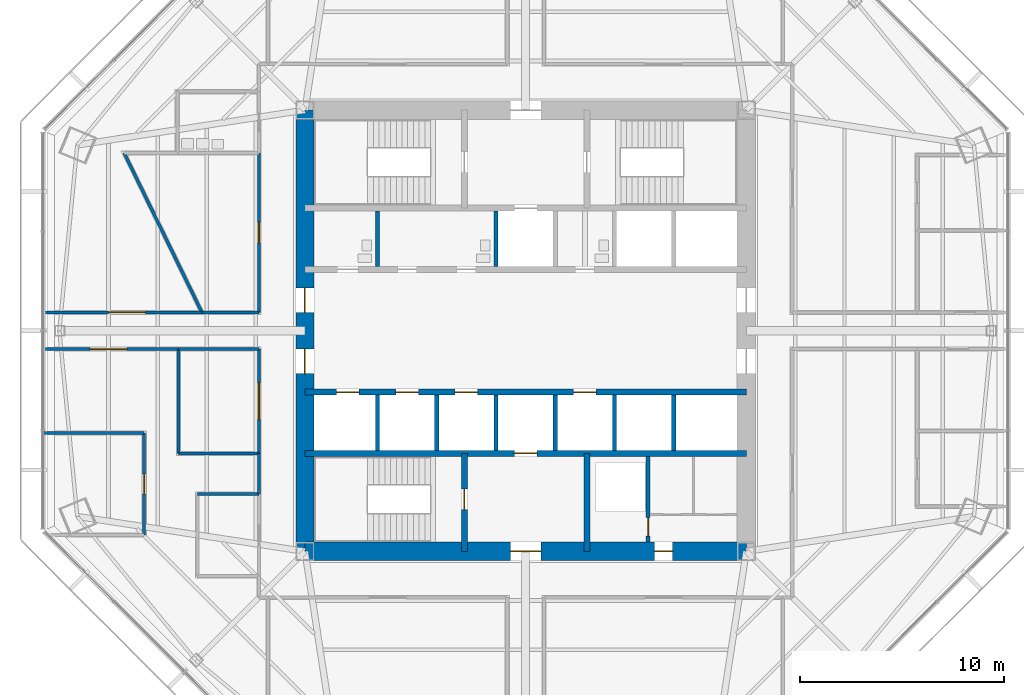
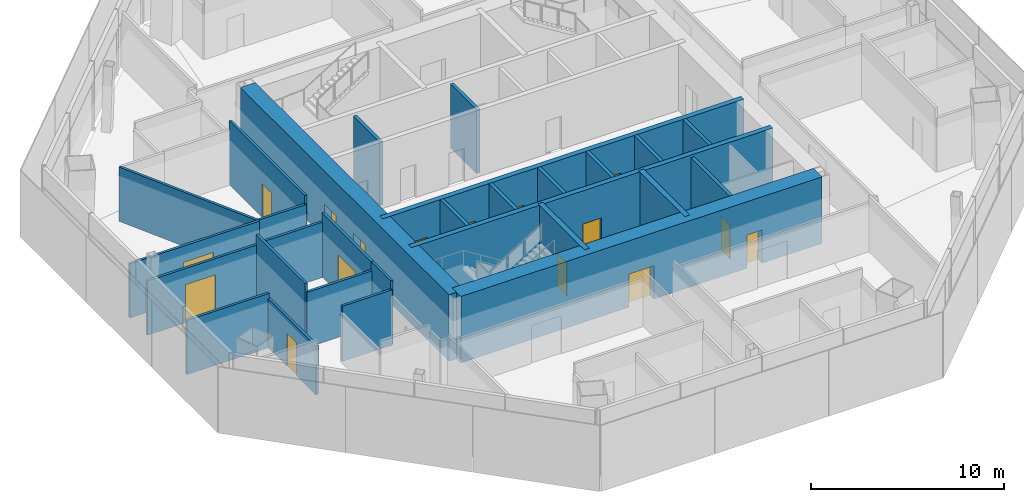
# One storey, part 9 of 15: 28 walls, 16 doors, 16 openings.
"""IFC4 building model written with IfcOpenShell, lengths in metres."""

from ifc_helpers import new_model, si_unit, direction, frame, frame_2d, origin, place, context, subcontext, project, spatial, rectangle, extrude, material, layer, layer_set, type_object, element, fill, save


model = new_model("IFC4")

# Units and contexts
model_context = context("Model", 3, precision=1e-05, world=origin(), true_north=direction((0.0, 1.0)))
body_context = subcontext(model_context, "Body", "Model", "MODEL_VIEW")
ifc_project = project(units=[si_unit("LENGTHUNIT", "METRE"), si_unit("AREAUNIT", "SQUARE_METRE"), si_unit("VOLUMEUNIT", "CUBIC_METRE"), si_unit("PLANEANGLEUNIT", "RADIAN"), si_unit("MASSUNIT", "GRAM", prefix="KILO")], contexts=[model_context])

# Site, building, storey
site_placement = place(None, origin())
site = spatial("IfcSite", under=ifc_project, at=site_placement, CompositionType="ELEMENT")
building_placement = place(site_placement, origin())
building = spatial("IfcBuilding", under=site, at=building_placement, Name="Mashrafa Tower", CompositionType="ELEMENT")
storey_placement = place(building_placement, frame((0.0, 0.0, 155.39990234375)))
storey = spatial("IfcBuildingStorey", under=building, at=storey_placement, Name="L35", CompositionType="ELEMENT", Elevation=155.39990234375)

# Wall, opening, door
ifc_material_1 = material(Name="Concrete masonry unit", Category="masonry")
ifc_layer_1 = layer(ifc_material_1, 0.199951171875)
ifc_layer_set_1 = layer_set([ifc_layer_1], Name="Blockwork wall 200 2 hr")
wall_type_1 = type_object("IfcWallType", Name="Blockwork wall 200 2 hr", PredefinedType="PARTITIONING", material=ifc_layer_set_1)
wall_1_placement = place(storey_placement, frame((6.0, -10.35009765625, 0.0), z_axis=(0.0, 0.0, 1.0), x_axis=(0.0, 1.0, 0.0)))
wall_1 = element("IfcWall", 1, at=wall_1_placement, inside=storey, type_object=wall_type_1, Name="Riser enclosure wall L35", PredefinedType="PARTITIONING", context=body_context, shape_type="SweptSolid", body=[
    extrude(rectangle(XDim=4.2001953125, YDim=0.199951171875, at=frame_2d((2.10009765625, 0.0))), origin(), (0.0, 0.0, 1.0), 4.03515625),
])
opening_1_placement = place(wall_1_placement, frame((0.300048828125, 0.0, 0.0)))
opening_1 = element("IfcOpeningElement", 2, at=opening_1_placement, cuts=wall_1, Name="Opening 35.036", PredefinedType="OPENING", context=body_context, shape_type="SweptSolid", body=[
    extrude(rectangle(XDim=0.89990234375, YDim=2.10009765625, at=frame_2d((0.449951171875, 1.050048828125))), frame((0.0, 0.10986328125, 0.0), z_axis=(0.0, -1.0, 0.0), x_axis=(1.0, 0.0, 0.0)), (0.0, 0.0, 1.0), 0.219970703125),
])
ifc_material_2 = material(Name="Steel door", Category="steel")
door_type_1 = type_object("IfcDoorType", Name="Service door 900 x 2100 90 min", OperationType="USERDEFINED", PredefinedType="DOOR", material=ifc_material_2)
door_1_placement = place(opening_1_placement, origin())
door_1 = element("IfcDoor", 3, at=door_1_placement, inside=storey, type_object=door_type_1, Name="Riser door L35", OperationType="SINGLE_SWING_LEFT", OverallHeight=2.10009765625, OverallWidth=0.89990234375, PredefinedType="DOOR", context=body_context, shape_type="SweptSolid", body=[
    extrude(rectangle(XDim=0.89990234375, YDim=2.10009765625, at=frame_2d((0.449951171875, 1.050048828125))), frame((0.0, 0.02490234375, 0.0), z_axis=(0.0, -1.0, 0.0), x_axis=(1.0, 0.0, 0.0)), (0.0, 0.0, 1.0), 0.050048828125),
])
fill(opening_1, door_1)

# Wall, openings, doors
ifc_material_3 = material(Name="Concrete C60/75", Category="concrete")
ifc_layer_2 = layer(ifc_material_3, 0.300048828125)
ifc_layer_set_2 = layer_set([ifc_layer_2], Name="Core wall 300 C60/75")
wall_type_2 = type_object("IfcWallType", Name="Core wall 300 C60/75", PredefinedType="SOLIDWALL", material=ifc_layer_set_2)
wall_2_placement = place(storey_placement, frame((-10.800048828125, -3.0, 0.0), z_axis=(0.0, 0.0, 1.0), x_axis=(1.0, 0.0, 0.0)))
wall_2 = element("IfcWall", 4, at=wall_2_placement, inside=storey, type_object=wall_type_2, Name="Core wall CH-S L35", PredefinedType="SOLIDWALL", context=body_context, shape_type="SweptSolid", body=[
    extrude(rectangle(XDim=21.60009765625, YDim=0.300048828125, at=frame_2d((10.800048828125, 0.0))), origin(), (0.0, 0.0, 1.0), 4.2001953125),
])
opening_2_placement = place(wall_2_placement, frame((1.550048828125, 0.0, 0.0)))
opening_2 = element("IfcOpeningElement", 5, at=opening_2_placement, cuts=wall_2, Name="Opening 35.B1", PredefinedType="OPENING", context=body_context, shape_type="SweptSolid", body=[
    extrude(rectangle(XDim=1.10009765625, YDim=2.10009765625, at=frame_2d((0.550048828125, 1.050048828125))), frame((0.0, 0.159912109375, 0.0), z_axis=(0.0, -1.0, 0.0), x_axis=(1.0, 0.0, 0.0)), (0.0, 0.0, 1.0), 0.320068359375),
])
opening_3_placement = place(wall_2_placement, frame((4.449951171875, 0.0, 0.0)))
opening_3 = element("IfcOpeningElement", 6, at=opening_3_placement, cuts=wall_2, Name="Opening 35.B2", PredefinedType="OPENING", context=body_context, shape_type="SweptSolid", body=[
    extrude(rectangle(XDim=1.10009765625, YDim=2.10009765625, at=frame_2d((0.550048828125, 1.050048828125))), frame((0.0, 0.159912109375, 0.0), z_axis=(0.0, -1.0, 0.0), x_axis=(1.0, 0.0, 0.0)), (0.0, 0.0, 1.0), 0.320068359375),
])
opening_4_placement = place(wall_2_placement, frame((7.35009765625, 0.0, 0.0)))
opening_4 = element("IfcOpeningElement", 7, at=opening_4_placement, cuts=wall_2, Name="Opening 35.B3", PredefinedType="OPENING", context=body_context, shape_type="SweptSolid", body=[
    extrude(rectangle(XDim=1.10009765625, YDim=2.10009765625, at=frame_2d((0.550048828125, 1.050048828125))), frame((0.0, 0.159912109375, 0.0), z_axis=(0.0, -1.0, 0.0), x_axis=(1.0, 0.0, 0.0)), (0.0, 0.0, 1.0), 0.320068359375),
])
opening_5_placement = place(wall_2_placement, frame((13.14990234375, 0.0, 0.0)))
opening_5 = element("IfcOpeningElement", 8, at=opening_5_placement, cuts=wall_2, Name="Opening 35.B4", PredefinedType="OPENING", context=body_context, shape_type="SweptSolid", body=[
    extrude(rectangle(XDim=1.10009765625, YDim=2.10009765625, at=frame_2d((0.550048828125, 1.050048828125))), frame((0.0, 0.159912109375, 0.0), z_axis=(0.0, -1.0, 0.0), x_axis=(1.0, 0.0, 0.0)), (0.0, 0.0, 1.0), 0.320068359375),
])
ifc_material_4 = material(Name="Steel door", Category="steel")
door_type_2 = type_object("IfcDoorType", Name="Lift landing door 1100 x 2100 90 min", OperationType="DOUBLE_DOOR_SLIDING", PredefinedType="DOOR", material=ifc_material_4)
door_2_placement = place(opening_2_placement, origin())
door_2 = element("IfcDoor", 9, at=door_2_placement, inside=storey, type_object=door_type_2, Name="Lift landing door B1 L35", OperationType="DOUBLE_DOOR_SLIDING", OverallHeight=2.10009765625, OverallWidth=1.10009765625, PredefinedType="DOOR", context=body_context, shape_type="SweptSolid", body=[
    extrude(rectangle(XDim=1.10009765625, YDim=2.10009765625, at=frame_2d((0.550048828125, 1.050048828125))), frame((0.0, 0.02490234375, 0.0), z_axis=(0.0, -1.0, 0.0), x_axis=(1.0, 0.0, 0.0)), (0.0, 0.0, 1.0), 0.050048828125),
])
fill(opening_2, door_2)
door_3_placement = place(opening_3_placement, origin())
door_3 = element("IfcDoor", 10, at=door_3_placement, inside=storey, type_object=door_type_2, Name="Lift landing door B2 L35", OperationType="DOUBLE_DOOR_SLIDING", OverallHeight=2.10009765625, OverallWidth=1.10009765625, PredefinedType="DOOR", context=body_context, shape_type="SweptSolid", body=[
    extrude(rectangle(XDim=1.10009765625, YDim=2.10009765625, at=frame_2d((0.550048828125, 1.050048828125))), frame((0.0, 0.02490234375, 0.0), z_axis=(0.0, -1.0, 0.0), x_axis=(1.0, 0.0, 0.0)), (0.0, 0.0, 1.0), 0.050048828125),
])
fill(opening_3, door_3)
door_4_placement = place(opening_4_placement, origin())
door_4 = element("IfcDoor", 11, at=door_4_placement, inside=storey, type_object=door_type_2, Name="Lift landing door B3 L35", OperationType="DOUBLE_DOOR_SLIDING", OverallHeight=2.10009765625, OverallWidth=1.10009765625, PredefinedType="DOOR", context=body_context, shape_type="SweptSolid", body=[
    extrude(rectangle(XDim=1.10009765625, YDim=2.10009765625, at=frame_2d((0.550048828125, 1.050048828125))), frame((0.0, 0.02490234375, 0.0), z_axis=(0.0, -1.0, 0.0), x_axis=(1.0, 0.0, 0.0)), (0.0, 0.0, 1.0), 0.050048828125),
])
fill(opening_4, door_4)
door_5_placement = place(opening_5_placement, origin())
door_5 = element("IfcDoor", 12, at=door_5_placement, inside=storey, type_object=door_type_2, Name="Lift landing door B4 L35", OperationType="DOUBLE_DOOR_SLIDING", OverallHeight=2.10009765625, OverallWidth=1.10009765625, PredefinedType="DOOR", context=body_context, shape_type="SweptSolid", body=[
    extrude(rectangle(XDim=1.10009765625, YDim=2.10009765625, at=frame_2d((0.550048828125, 1.050048828125))), frame((0.0, 0.02490234375, 0.0), z_axis=(0.0, -1.0, 0.0), x_axis=(1.0, 0.0, 0.0)), (0.0, 0.0, 1.0), 0.050048828125),
])
fill(opening_5, door_5)

# Wall, opening, door
wall_3_placement = place(storey_placement, frame((-10.800048828125, -6.0, 0.0), z_axis=(0.0, 0.0, 1.0), x_axis=(1.0, 0.0, 0.0)))
wall_3 = element("IfcWall", 13, at=wall_3_placement, inside=storey, type_object=wall_type_2, Name="Core wall CB-S L35", PredefinedType="SOLIDWALL", context=body_context, shape_type="SweptSolid", body=[
    extrude(rectangle(XDim=21.60009765625, YDim=0.300048828125, at=frame_2d((10.800048828125, 0.0))), origin(), (0.0, 0.0, 1.0), 4.2001953125),
])
opening_6_placement = place(wall_3_placement, frame((10.25, 0.0, 0.0)))
opening_6 = element("IfcOpeningElement", 14, at=opening_6_placement, cuts=wall_3, Name="Opening 35.F2", PredefinedType="OPENING", context=body_context, shape_type="SweptSolid", body=[
    extrude(rectangle(XDim=1.10009765625, YDim=2.10009765625, at=frame_2d((0.550048828125, 1.050048828125))), frame((0.0, 0.159912109375, 0.0), z_axis=(0.0, -1.0, 0.0), x_axis=(1.0, 0.0, 0.0)), (0.0, 0.0, 1.0), 0.320068359375),
])
door_6_placement = place(opening_6_placement, origin())
door_6 = element("IfcDoor", 15, at=door_6_placement, inside=storey, type_object=door_type_2, Name="Lift landing door F2 L35", OperationType="DOUBLE_DOOR_SLIDING", OverallHeight=2.10009765625, OverallWidth=1.10009765625, PredefinedType="DOOR", context=body_context, shape_type="SweptSolid", body=[
    extrude(rectangle(XDim=1.10009765625, YDim=2.10009765625, at=frame_2d((0.550048828125, 1.050048828125))), frame((0.0, 0.02490234375, 0.0), z_axis=(0.0, -1.0, 0.0), x_axis=(1.0, 0.0, 0.0)), (0.0, 0.0, 1.0), 0.050048828125),
])
fill(opening_6, door_6)

wall_4_placement = place(storey_placement, frame((-3.0, -6.0, 0.0), z_axis=(0.0, 0.0, 1.0), x_axis=(0.0, -1.0, 0.0)))
wall_4 = element("IfcWall", 16, at=wall_4_placement, inside=storey, type_object=wall_type_2, Name="Core wall CX-SW L35", PredefinedType="SOLIDWALL", context=body_context, shape_type="SweptSolid", body=[
    extrude(rectangle(XDim=4.800048828125, YDim=0.300048828125, at=frame_2d((2.39990234375, 0.0))), origin(), (0.0, 0.0, 1.0), 4.2001953125),
])
opening_7_placement = place(wall_4_placement, frame((1.75, 0.0, 0.0)))
opening_7 = element("IfcOpeningElement", 17, at=opening_7_placement, cuts=wall_4, Name="Opening 35.034", PredefinedType="OPENING", context=body_context, shape_type="SweptSolid", body=[
    extrude(rectangle(XDim=1.0, YDim=2.10009765625, at=frame_2d((0.5, 1.050048828125))), frame((0.0, 0.159912109375, 0.0), z_axis=(0.0, -1.0, 0.0), x_axis=(1.0, 0.0, 0.0)), (0.0, 0.0, 1.0), 0.320068359375),
])
ifc_material_5 = material(Name="Steel door", Category="steel")
door_type_3 = type_object("IfcDoorType", Name="Stair door 1000 x 2100 90 min", OperationType="USERDEFINED", PredefinedType="DOOR", material=ifc_material_5)
door_7_placement = place(opening_7_placement, frame((1.0, 0.0, 0.0), z_axis=(0.0, 0.0, 1.0), x_axis=(-1.0, 0.0, 0.0)))
door_7 = element("IfcDoor", 18, at=door_7_placement, inside=storey, type_object=door_type_3, Name="Stair S3 door L35", OperationType="SINGLE_SWING_RIGHT", OverallHeight=2.10009765625, OverallWidth=1.0, PredefinedType="DOOR", context=body_context, shape_type="SweptSolid", body=[
    extrude(rectangle(XDim=1.0, YDim=2.10009765625, at=frame_2d((0.5, 1.050048828125))), frame((0.0, 0.02490234375, 0.0), z_axis=(0.0, -1.0, 0.0), x_axis=(1.0, 0.0, 0.0)), (0.0, 0.0, 1.0), 0.050048828125),
])
fill(opening_7, door_7)

# Wall
wall_5_placement = place(storey_placement, frame((3.0, -6.0, 0.0), z_axis=(0.0, 0.0, 1.0), x_axis=(0.0, -1.0, 0.0)))
element("IfcWall", 19, at=wall_5_placement, inside=storey, type_object=wall_type_2, Name="Core wall CX-SE L35", PredefinedType="SOLIDWALL", context=body_context, shape_type="SweptSolid", body=[
    extrude(rectangle(XDim=4.800048828125, YDim=0.300048828125, at=frame_2d((2.39990234375, 0.0))), origin(), (0.0, 0.0, 1.0), 4.2001953125),
])

# Wall, openings, doors
ifc_material_6 = material(Name="Concrete C60/75", Category="concrete")
ifc_layer_3 = layer(ifc_material_6, 0.89990234375)
ifc_layer_set_3 = layer_set([ifc_layer_3], Name="Core wall 900 C60/75")
wall_type_3 = type_object("IfcWallType", Name="Core wall 900 C60/75", PredefinedType="SOLIDWALL", material=ifc_layer_set_3)
wall_6_placement = place(storey_placement, frame((-10.800048828125, -10.800048828125, 0.0), z_axis=(0.0, 0.0, 1.0), x_axis=(1.0, 0.0, 0.0)))
wall_6 = element("IfcWall", 20, at=wall_6_placement, inside=storey, type_object=wall_type_3, Name="Core wall CW-S L35", PredefinedType="SOLIDWALL", context=body_context, shape_type="SweptSolid", body=[
    extrude(rectangle(XDim=21.60009765625, YDim=0.89990234375, at=frame_2d((10.800048828125, 0.0))), origin(), (0.0, 0.0, 1.0), 4.2001953125),
])
opening_8_placement = place(wall_6_placement, frame((10.050048828125, 0.0, 0.0)))
opening_8 = element("IfcOpeningElement", 21, at=opening_8_placement, cuts=wall_6, Name="Opening 35.031", PredefinedType="OPENING", context=body_context, shape_type="SweptSolid", body=[
    extrude(rectangle(XDim=1.5, YDim=2.10009765625, at=frame_2d((0.75, 1.050048828125))), frame((0.0, 0.4599609375, 0.0), z_axis=(0.0, -1.0, 0.0), x_axis=(1.0, 0.0, 0.0)), (0.0, 0.0, 1.0), 0.919921875),
])
opening_9_placement = place(wall_6_placement, frame((17.10009765625, 0.0, 0.0)))
opening_9 = element("IfcOpeningElement", 22, at=opening_9_placement, cuts=wall_6, Name="Opening 35.035", PredefinedType="OPENING", context=body_context, shape_type="SweptSolid", body=[
    extrude(rectangle(XDim=0.89990234375, YDim=2.10009765625, at=frame_2d((0.449951171875, 1.050048828125))), frame((0.0, 0.4599609375, 0.0), z_axis=(0.0, -1.0, 0.0), x_axis=(1.0, 0.0, 0.0)), (0.0, 0.0, 1.0), 0.919921875),
])
ifc_material_7 = material(Name="Steel door", Category="steel")
door_type_4 = type_object("IfcDoorType", Name="Lobby door pair 1500 x 2100 90 min", OperationType="DOUBLE_DOOR_SINGLE_SWING", PredefinedType="DOOR", material=ifc_material_7)
door_8_placement = place(opening_8_placement, origin())
door_8 = element("IfcDoor", 23, at=door_8_placement, inside=storey, type_object=door_type_4, Name="Fire-fighting lobby F2 door L35", OperationType="DOUBLE_DOOR_SINGLE_SWING", OverallHeight=2.10009765625, OverallWidth=1.5, PredefinedType="DOOR", context=body_context, shape_type="SweptSolid", body=[
    extrude(rectangle(XDim=1.5, YDim=2.10009765625, at=frame_2d((0.75, 1.050048828125))), frame((0.0, 0.02490234375, 0.0), z_axis=(0.0, -1.0, 0.0), x_axis=(1.0, 0.0, 0.0)), (0.0, 0.0, 1.0), 0.050048828125),
])
fill(opening_8, door_8)
door_9_placement = place(opening_9_placement, frame((0.89990234375, 0.0, 0.0), z_axis=(0.0, 0.0, 1.0), x_axis=(-1.0, 0.0, 0.0)))
door_9 = element("IfcDoor", 24, at=door_9_placement, inside=storey, type_object=door_type_1, Name="Services Lobby L35 door", OperationType="SINGLE_SWING_LEFT", OverallHeight=2.10009765625, OverallWidth=0.89990234375, PredefinedType="DOOR", context=body_context, shape_type="SweptSolid", body=[
    extrude(rectangle(XDim=0.89990234375, YDim=2.10009765625, at=frame_2d((0.449951171875, 1.050048828125))), frame((0.0, 0.02490234375, 0.0), z_axis=(0.0, -1.0, 0.0), x_axis=(1.0, 0.0, 0.0)), (0.0, 0.0, 1.0), 0.050048828125),
])
fill(opening_9, door_9)

wall_7_placement = place(storey_placement, frame((-10.800048828125, 10.800048828125, 0.0), z_axis=(0.0, 0.0, 1.0), x_axis=(0.0, -1.0, 0.0)))
wall_7 = element("IfcWall", 25, at=wall_7_placement, inside=storey, type_object=wall_type_3, Name="Core wall CW-W L35", PredefinedType="SOLIDWALL", context=body_context, shape_type="SweptSolid", body=[
    extrude(rectangle(XDim=21.60009765625, YDim=0.89990234375, at=frame_2d((10.800048828125, 0.0))), origin(), (0.0, 0.0, 1.0), 4.2001953125),
])
opening_10_placement = place(wall_7_placement, frame((8.699951171875, 0.0, 0.0)))
opening_10 = element("IfcOpeningElement", 26, at=opening_10_placement, cuts=wall_7, Name="Opening 35.027", PredefinedType="OPENING", context=body_context, shape_type="SweptSolid", body=[
    extrude(rectangle(XDim=1.199951171875, YDim=2.10009765625, at=frame_2d((0.60009765625, 1.050048828125))), frame((0.0, 0.4599609375, 0.0), z_axis=(0.0, -1.0, 0.0), x_axis=(1.0, 0.0, 0.0)), (0.0, 0.0, 1.0), 0.919921875),
])
opening_11_placement = place(wall_7_placement, frame((11.699951171875, 0.0, 0.0)))
opening_11 = element("IfcOpeningElement", 27, at=opening_11_placement, cuts=wall_7, Name="Opening 35.029", PredefinedType="OPENING", context=body_context, shape_type="SweptSolid", body=[
    extrude(rectangle(XDim=1.199951171875, YDim=2.10009765625, at=frame_2d((0.60009765625, 1.050048828125))), frame((0.0, 0.4599609375, 0.0), z_axis=(0.0, -1.0, 0.0), x_axis=(1.0, 0.0, 0.0)), (0.0, 0.0, 1.0), 0.919921875),
])
ifc_material_8 = material(Name="Steel door", Category="steel")
door_type_5 = type_object("IfcDoorType", Name="Lift hall door 1200 x 2100 90 min", OperationType="USERDEFINED", PredefinedType="DOOR", material=ifc_material_8)
door_10_placement = place(opening_10_placement, frame((1.199951171875, 0.0, 0.0), z_axis=(0.0, 0.0, 1.0), x_axis=(-1.0, 0.0, 0.0)))
door_10 = element("IfcDoor", 28, at=door_10_placement, inside=storey, type_object=door_type_5, Name="Lift hall door west L35", OperationType="SINGLE_SWING_RIGHT", OverallHeight=2.10009765625, OverallWidth=1.199951171875, PredefinedType="DOOR", context=body_context, shape_type="SweptSolid", body=[
    extrude(rectangle(XDim=1.199951171875, YDim=2.10009765625, at=frame_2d((0.60009765625, 1.050048828125))), frame((0.0, 0.02490234375, 0.0), z_axis=(0.0, -1.0, 0.0), x_axis=(1.0, 0.0, 0.0)), (0.0, 0.0, 1.0), 0.050048828125),
])
fill(opening_10, door_10)
door_11_placement = place(opening_11_placement, frame((1.199951171875, 0.0, 0.0), z_axis=(0.0, 0.0, 1.0), x_axis=(-1.0, 0.0, 0.0)))
door_11 = element("IfcDoor", 29, at=door_11_placement, inside=storey, type_object=door_type_5, Name="Lift hall door west L35", OperationType="SINGLE_SWING_LEFT", OverallHeight=2.10009765625, OverallWidth=1.199951171875, PredefinedType="DOOR", context=body_context, shape_type="SweptSolid", body=[
    extrude(rectangle(XDim=1.199951171875, YDim=2.10009765625, at=frame_2d((0.60009765625, 1.050048828125))), frame((0.0, 0.02490234375, 0.0), z_axis=(0.0, -1.0, 0.0), x_axis=(1.0, 0.0, 0.0)), (0.0, 0.0, 1.0), 0.050048828125),
])
fill(opening_11, door_11)

# Wall, opening, door
ifc_material_9 = material(Name="Gypsum board on steel studs", Category="steel")
ifc_layer_4 = layer(ifc_material_9, 0.14990234375)
ifc_layer_set_4 = layer_set([ifc_layer_4], Name="Corridor partition 150 1 hr")
wall_type_4 = type_object("IfcWallType", Name="Corridor partition 150 1 hr", PredefinedType="PARTITIONING", material=ifc_layer_set_4)
wall_8_placement = place(storey_placement, frame((-13.050048828125, 8.700927734375, 0.0), z_axis=(0.0, 0.0, 1.0), x_axis=(0.0, -1.0, 0.0)))
wall_8 = element("IfcWall", 30, at=wall_8_placement, inside=storey, type_object=wall_type_4, Name="Corridor wall L35-001", PredefinedType="PARTITIONING", context=body_context, shape_type="SweptSolid", body=[
    extrude(rectangle(XDim=7.801025390625, YDim=0.14990234375, at=frame_2d((3.900390625, 0.0))), origin(), (0.0, 0.0, 1.0), 4.03515625),
])
opening_12_placement = place(wall_8_placement, frame((3.400390625, 0.0, 0.0)))
opening_12 = element("IfcOpeningElement", 31, at=opening_12_placement, cuts=wall_8, Name="Opening 35.001", PredefinedType="OPENING", context=body_context, shape_type="SweptSolid", body=[
    extrude(rectangle(XDim=1.0, YDim=2.10009765625, at=frame_2d((0.5, 1.050048828125))), frame((0.0, 0.0849609375, 0.0), z_axis=(0.0, -1.0, 0.0), x_axis=(1.0, 0.0, 0.0)), (0.0, 0.0, 1.0), 0.169921875),
])
ifc_material_10 = material(Name="Timber door", Category="wood")
door_type_6 = type_object("IfcDoorType", Name="Door 1000 x 2100", OperationType="USERDEFINED", PredefinedType="DOOR", material=ifc_material_10)
door_12_placement = place(opening_12_placement, frame((1.0, 0.0, 0.0), z_axis=(0.0, 0.0, 1.0), x_axis=(-1.0, 0.0, 0.0)))
door_12 = element("IfcDoor", 32, at=door_12_placement, inside=storey, type_object=door_type_6, Name="Musallah Prayer Room 35 door", OperationType="SINGLE_SWING_LEFT", OverallHeight=2.10009765625, OverallWidth=1.0, PredefinedType="DOOR", context=body_context, shape_type="SweptSolid", body=[
    extrude(rectangle(XDim=1.0, YDim=2.10009765625, at=frame_2d((0.5, 1.050048828125))), frame((0.0, 0.02490234375, 0.0), z_axis=(0.0, -1.0, 0.0), x_axis=(1.0, 0.0, 0.0)), (0.0, 0.0, 1.0), 0.050048828125),
])
fill(opening_12, door_12)

# Walls
wall_9_placement = place(storey_placement, frame((-13.050048828125, 0.89990234375, 0.0), z_axis=(0.0, 0.0, 1.0), x_axis=(-1.0, 0.0, 0.0)))
element("IfcWall", 33, at=wall_9_placement, inside=storey, type_object=wall_type_4, Name="Corridor wall L35-002", PredefinedType="PARTITIONING", context=body_context, shape_type="SweptSolid", body=[
    extrude(rectangle(XDim=2.796630859375, YDim=0.14990234375, at=frame_2d((1.3984375, 0.0))), origin(), (0.0, 0.0, 1.0), 3.49169921875),
])
wall_10_placement = place(storey_placement, frame((-17.0009765625, -0.89990234375, 0.0), z_axis=(0.0, 0.0, 1.0), x_axis=(1.0, 0.0, 0.0)))
element("IfcWall", 34, at=wall_10_placement, inside=storey, type_object=wall_type_4, Name="Corridor wall L35-011", PredefinedType="PARTITIONING", context=body_context, shape_type="SweptSolid", body=[
    extrude(rectangle(XDim=3.950927734375, YDim=0.14990234375, at=frame_2d((1.9755859375, 0.0))), origin(), (0.0, 0.0, 1.0), 3.49169921875),
])

# Wall, opening, door
wall_11_placement = place(storey_placement, frame((-13.050048828125, -0.89990234375, 0.0), z_axis=(0.0, 0.0, 1.0), x_axis=(0.0, -1.0, 0.0)))
wall_11 = element("IfcWall", 35, at=wall_11_placement, inside=storey, type_object=wall_type_4, Name="Corridor wall L35-012", PredefinedType="PARTITIONING", context=body_context, shape_type="SweptSolid", body=[
    extrude(rectangle(XDim=5.10107421875, YDim=0.14990234375, at=frame_2d((2.550537109375, 0.0))), origin(), (0.0, 0.0, 1.0), 4.03515625),
])
opening_13_placement = place(wall_11_placement, frame((1.650390625, 0.0, 0.0)))
opening_13 = element("IfcOpeningElement", 36, at=opening_13_placement, cuts=wall_11, Name="Opening 35.017", PredefinedType="OPENING", context=body_context, shape_type="SweptSolid", body=[
    extrude(rectangle(XDim=1.800048828125, YDim=2.39990234375, at=frame_2d((0.89990234375, 1.199951171875))), frame((0.0, 0.0849609375, 0.0), z_axis=(0.0, -1.0, 0.0), x_axis=(1.0, 0.0, 0.0)), (0.0, 0.0, 1.0), 0.169921875),
])
ifc_material_11 = material(Name="Steel door", Category="steel")
door_type_7 = type_object("IfcDoorType", Name="Door pair 1800 x 2400 90 min", OperationType="DOUBLE_DOOR_SINGLE_SWING", PredefinedType="DOOR", material=ifc_material_11)
door_13_placement = place(opening_13_placement, origin())
door_13 = element("IfcDoor", 37, at=door_13_placement, inside=storey, type_object=door_type_7, Name="Business Centre Reception 35 door", OperationType="DOUBLE_DOOR_SINGLE_SWING", OverallHeight=2.39990234375, OverallWidth=1.800048828125, PredefinedType="DOOR", context=body_context, shape_type="SweptSolid", body=[
    extrude(rectangle(XDim=1.800048828125, YDim=2.39990234375, at=frame_2d((0.89990234375, 1.199951171875))), frame((0.0, 0.02490234375, 0.0), z_axis=(0.0, -1.0, 0.0), x_axis=(1.0, 0.0, 0.0)), (0.0, 0.0, 1.0), 0.050048828125),
])
fill(opening_13, door_13)

wall_12_placement = place(storey_placement, frame((-15.844482421875, 0.89990234375, 0.0), z_axis=(0.0, 0.0, 1.0), x_axis=(-1.0, 0.0, 0.0)))
wall_12 = element("IfcWall", 38, at=wall_12_placement, inside=storey, type_object=wall_type_4, Name="Corridor wall L35-018", PredefinedType="PARTITIONING", context=body_context, shape_type="SweptSolid", body=[
    extrude(rectangle(XDim=7.75830078125, YDim=0.14990234375, at=frame_2d((3.879150390625, 0.0))), origin(), (0.0, 0.0, 1.0), 3.423095703125),
])
opening_14_placement = place(wall_12_placement, frame((2.761962890625, 0.0, 0.0)))
opening_14 = element("IfcOpeningElement", 39, at=opening_14_placement, cuts=wall_12, Name="Opening 35.020", PredefinedType="OPENING", context=body_context, shape_type="SweptSolid", body=[
    extrude(rectangle(XDim=1.800048828125, YDim=2.39990234375, at=frame_2d((0.89990234375, 1.199951171875))), frame((0.0, 0.0849609375, 0.0), z_axis=(0.0, -1.0, 0.0), x_axis=(1.0, 0.0, 0.0)), (0.0, 0.0, 1.0), 0.169921875),
])
ifc_material_12 = material(Name="Timber door", Category="wood")
door_type_8 = type_object("IfcDoorType", Name="Door pair 1800 x 2400", OperationType="DOUBLE_DOOR_SINGLE_SWING", PredefinedType="DOOR", material=ifc_material_12)
door_14_placement = place(opening_14_placement, frame((1.800048828125, 0.0, 0.0), z_axis=(0.0, 0.0, 1.0), x_axis=(-1.0, 0.0, 0.0)))
door_14 = element("IfcDoor", 40, at=door_14_placement, inside=storey, type_object=door_type_8, Name="Business Centre Suite 35-NW1 door", OperationType="DOUBLE_DOOR_SINGLE_SWING", OverallHeight=2.39990234375, OverallWidth=1.800048828125, PredefinedType="DOOR", context=body_context, shape_type="SweptSolid", body=[
    extrude(rectangle(XDim=1.800048828125, YDim=2.39990234375, at=frame_2d((0.89990234375, 1.199951171875))), frame((0.0, 0.02490234375, 0.0), z_axis=(0.0, -1.0, 0.0), x_axis=(1.0, 0.0, 0.0)), (0.0, 0.0, 1.0), 0.050048828125),
])
fill(opening_14, door_14)

wall_13_placement = place(storey_placement, frame((-23.602783203125, -0.89990234375, 0.0), z_axis=(0.0, 0.0, 1.0), x_axis=(1.0, 0.0, 0.0)))
wall_13 = element("IfcWall", 41, at=wall_13_placement, inside=storey, type_object=wall_type_4, Name="Corridor wall L35-023", PredefinedType="PARTITIONING", context=body_context, shape_type="SweptSolid", body=[
    extrude(rectangle(XDim=6.603759765625, YDim=0.14990234375, at=frame_2d((3.3017578125, 0.0))), origin(), (0.0, 0.0, 1.0), 3.423095703125),
])
opening_15_placement = place(wall_13_placement, frame((2.28369140625, 0.0, 0.0)))
opening_15 = element("IfcOpeningElement", 42, at=opening_15_placement, cuts=wall_13, Name="Opening 35.022", PredefinedType="OPENING", context=body_context, shape_type="SweptSolid", body=[
    extrude(rectangle(XDim=1.800048828125, YDim=2.39990234375, at=frame_2d((0.89990234375, 1.199951171875))), frame((0.0, 0.0849609375, 0.0), z_axis=(0.0, -1.0, 0.0), x_axis=(1.0, 0.0, 0.0)), (0.0, 0.0, 1.0), 0.169921875),
])
door_15_placement = place(opening_15_placement, frame((1.800048828125, 0.0, 0.0), z_axis=(0.0, 0.0, 1.0), x_axis=(-1.0, 0.0, 0.0)))
door_15 = element("IfcDoor", 43, at=door_15_placement, inside=storey, type_object=door_type_8, Name="Business Centre Suite 35-SW1 door", OperationType="DOUBLE_DOOR_SINGLE_SWING", OverallHeight=2.39990234375, OverallWidth=1.800048828125, PredefinedType="DOOR", context=body_context, shape_type="SweptSolid", body=[
    extrude(rectangle(XDim=1.800048828125, YDim=2.39990234375, at=frame_2d((0.89990234375, 1.199951171875))), frame((0.0, 0.02490234375, 0.0), z_axis=(0.0, -1.0, 0.0), x_axis=(1.0, 0.0, 0.0)), (0.0, 0.0, 1.0), 0.050048828125),
])
fill(opening_15, door_15)

# Walls
wall_14_placement = place(storey_placement, frame((-13.050048828125, -5.9990234375, 0.0), z_axis=(0.0, 0.0, 1.0), x_axis=(0.0, -1.0, 0.0)))
element("IfcWall", 44, at=wall_14_placement, inside=storey, type_object=wall_type_4, Name="Corridor wall L35-026", PredefinedType="PARTITIONING", context=body_context, shape_type="SweptSolid", body=[
    extrude(rectangle(XDim=2.001953125, YDim=0.14990234375, at=frame_2d((1.0009765625, 0.0))), origin(), (0.0, 0.0, 1.0), 4.03515625),
])
wall_15_placement = place(storey_placement, frame((-17.0, -0.89990234375, 0.0), z_axis=(0.0, 0.0, 1.0), x_axis=(0.0, -1.0, 0.0)))
element("IfcWall", 45, at=wall_15_placement, inside=storey, type_object=wall_type_4, Name="Corridor wall L35-076", PredefinedType="PARTITIONING", context=body_context, shape_type="SweptSolid", body=[
    extrude(rectangle(XDim=5.10009765625, YDim=0.14990234375, at=frame_2d((2.550048828125, 0.0))), origin(), (0.0, 0.0, 1.0), 4.03515625),
])
wall_16_placement = place(storey_placement, frame((-17.0, -6.0, 0.0), z_axis=(0.0, 0.0, 1.0), x_axis=(1.0, 0.0, 0.0)))
element("IfcWall", 46, at=wall_16_placement, inside=storey, type_object=wall_type_4, Name="Corridor wall L35-077", PredefinedType="PARTITIONING", context=body_context, shape_type="SweptSolid", body=[
    extrude(rectangle(XDim=3.949951171875, YDim=0.14990234375, at=frame_2d((1.97509765625, 0.0))), origin(), (0.0, 0.0, 1.0), 3.49169921875),
])
ifc_material_13 = material(Name="Gypsum board on steel studs", Category="steel")
ifc_layer_5 = layer(ifc_material_13, 0.14990234375)
ifc_layer_set_5 = layer_set([ifc_layer_5], Name="Partition 150")
wall_type_5 = type_object("IfcWallType", Name="Partition 150", PredefinedType="PARTITIONING", material=ifc_layer_set_5)
wall_17_placement = place(storey_placement, frame((-19.64990234375, 8.699951171875, 0.0), z_axis=(0.0, 0.0, 1.0), x_axis=(0.438358227548, -0.898800347319, 0.0)))
element("IfcWall", 47, at=wall_17_placement, inside=storey, type_object=wall_type_5, Name="Partition wall L35-036", PredefinedType="PARTITIONING", context=body_context, shape_type="SweptSolid", body=[
    extrude(rectangle(XDim=8.67822265625, YDim=0.14990234375, at=frame_2d((4.339111328125, 0.0))), origin(), (0.0, 0.0, 1.0), 3.423095703125),
])

# Wall, opening, door
wall_18_placement = place(storey_placement, frame((-18.668701171875, -10.0, 0.0), z_axis=(0.0, 0.0, 1.0), x_axis=(0.0, 1.0, 0.0)))
wall_18 = element("IfcWall", 48, at=wall_18_placement, inside=storey, type_object=wall_type_5, Name="Partition wall L35-071", PredefinedType="PARTITIONING", context=body_context, shape_type="SweptSolid", body=[
    extrude(rectangle(XDim=5.0, YDim=0.14990234375, at=frame_2d((2.5, 0.0))), origin(), (0.0, 0.0, 1.0), 3.097900390625),
])
opening_16_placement = place(wall_18_placement, frame((2.0, 0.0, 0.0)))
opening_16 = element("IfcOpeningElement", 49, at=opening_16_placement, cuts=wall_18, Name="Opening 35.015", PredefinedType="OPENING", context=body_context, shape_type="SweptSolid", body=[
    extrude(rectangle(XDim=1.0, YDim=2.10009765625, at=frame_2d((0.5, 1.050048828125))), frame((0.0, 0.0849609375, 0.0), z_axis=(0.0, -1.0, 0.0), x_axis=(1.0, 0.0, 0.0)), (0.0, 0.0, 1.0), 0.169921875),
])
door_16_placement = place(opening_16_placement, origin())
door_16 = element("IfcDoor", 50, at=door_16_placement, inside=storey, type_object=door_type_6, Name="Meeting Room 35-SW1 door", OperationType="SINGLE_SWING_LEFT", OverallHeight=2.10009765625, OverallWidth=1.0, PredefinedType="DOOR", context=body_context, shape_type="SweptSolid", body=[
    extrude(rectangle(XDim=1.0, YDim=2.10009765625, at=frame_2d((0.5, 1.050048828125))), frame((0.0, 0.02490234375, 0.0), z_axis=(0.0, -1.0, 0.0), x_axis=(1.0, 0.0, 0.0)), (0.0, 0.0, 1.0), 0.050048828125),
])
fill(opening_16, door_16)

# Walls
wall_19_placement = place(storey_placement, frame((-18.668701171875, -5.0, 0.0), z_axis=(0.0, 0.0, 1.0), x_axis=(-1.0, 0.0, 0.0)))
element("IfcWall", 51, at=wall_19_placement, inside=storey, type_object=wall_type_5, Name="Partition wall L35-072", PredefinedType="PARTITIONING", context=body_context, shape_type="SweptSolid", body=[
    extrude(rectangle(XDim=4.931884765625, YDim=0.14990234375, at=frame_2d((2.4658203125, 0.0))), origin(), (0.0, 0.0, 1.0), 3.423095703125),
])
wall_20_placement = place(storey_placement, frame((-13.050048828125, -8.0, 0.0), z_axis=(0.0, 0.0, 1.0), x_axis=(-1.0, 0.0, 0.0)))
element("IfcWall", 52, at=wall_20_placement, inside=storey, type_object=wall_type_5, Name="Partition wall L35-073", PredefinedType="PARTITIONING", context=body_context, shape_type="SweptSolid", body=[
    extrude(rectangle(XDim=3.0, YDim=0.14990234375, at=frame_2d((1.5, 0.0))), origin(), (0.0, 0.0, 1.0), 3.49169921875),
])
ifc_material_14 = material(Name="Gypsum shaft wall on steel studs", Category="steel")
ifc_layer_6 = layer(ifc_material_14, 0.199951171875)
ifc_layer_set_6 = layer_set([ifc_layer_6], Name="Shaft divider wall 200 2 hr")
wall_type_6 = type_object("IfcWallType", Name="Shaft divider wall 200 2 hr", PredefinedType="PARTITIONING", material=ifc_layer_set_6)
for number, where, z_axis, x_axis, name in (
    (53, (-7.25, 3.14990234375, 0.0), (0.0, 0.0, 1.0), (0.0, 1.0, 0.0), "Shaft divider wall N1 L35"),
    (54, (-1.449951171875, 3.14990234375, 0.0), (0.0, 0.0, 1.0), (0.0, 1.0, 0.0), "Shaft divider wall N3 L35"),
):
    element("IfcWall", number, at=place(storey_placement, frame(where, z_axis=z_axis, x_axis=x_axis)), inside=storey, type_object=wall_type_6, Name=name, PredefinedType="PARTITIONING", context=body_context, shape_type="SweptSolid", body=[
        extrude(rectangle(XDim=2.7001953125, YDim=0.199951171875, at=frame_2d((1.35009765625, 0.0))), origin(), (0.0, 0.0, 1.0), 4.03515625),
    ])
for number, where, z_axis, x_axis, name in (
    (55, (-7.25, -5.85009765625, 0.0), (0.0, 0.0, 1.0), (0.0, 1.0, 0.0), "Shaft divider wall S1 L35"),
    (56, (-4.35009765625, -5.85009765625, 0.0), (0.0, 0.0, 1.0), (0.0, 1.0, 0.0), "Shaft divider wall S2 L35"),
    (57, (-1.449951171875, -5.85009765625, 0.0), (0.0, 0.0, 1.0), (0.0, 1.0, 0.0), "Shaft divider wall S3 L35"),
    (58, (1.449951171875, -5.85009765625, 0.0), (0.0, 0.0, 1.0), (0.0, 1.0, 0.0), "Shaft divider wall S4 L35"),
    (59, (4.35009765625, -5.85009765625, 0.0), (0.0, 0.0, 1.0), (0.0, 1.0, 0.0), "Shaft divider wall S5 L35"),
    (60, (7.25, -5.85009765625, 0.0), (0.0, 0.0, 1.0), (0.0, 1.0, 0.0), "Shaft divider wall S6 L35"),
):
    element("IfcWall", number, at=place(storey_placement, frame(where, z_axis=z_axis, x_axis=x_axis)), inside=storey, type_object=wall_type_6, Name=name, PredefinedType="PARTITIONING", context=body_context, shape_type="SweptSolid", body=[
        extrude(rectangle(XDim=2.7001953125, YDim=0.199951171875, at=frame_2d((1.35009765625, 0.0))), origin(), (0.0, 0.0, 1.0), 4.2001953125),
    ])

save(model, "model.ifc")
